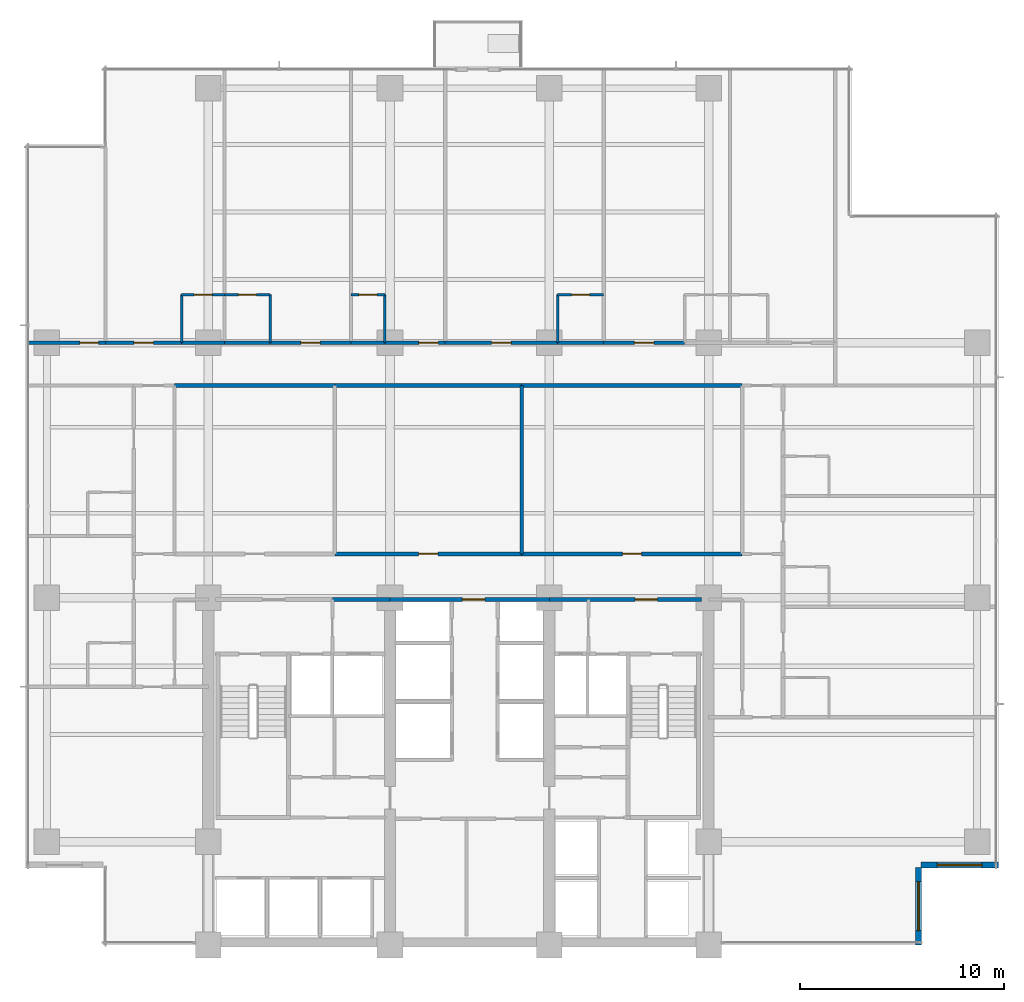
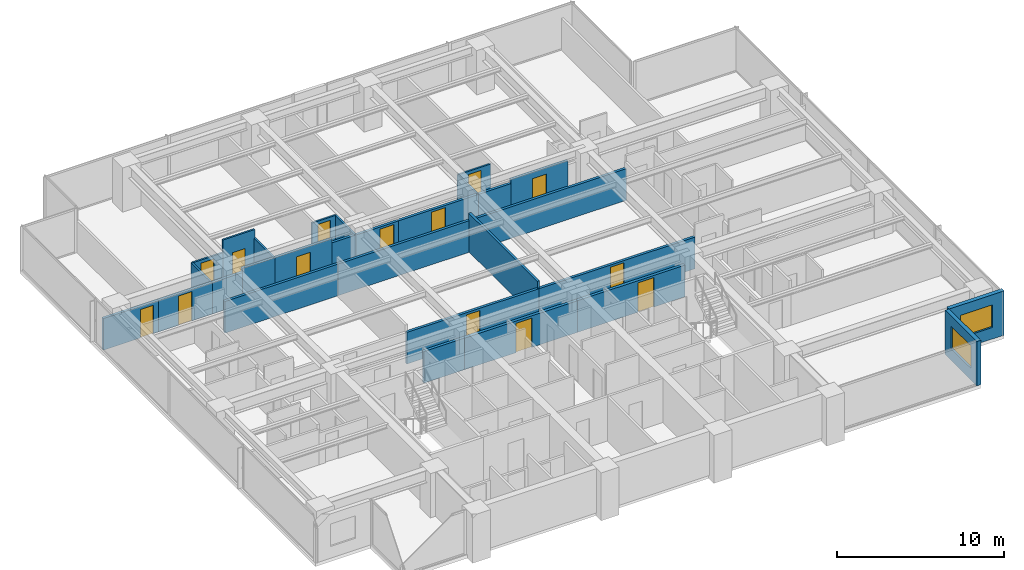
# One storey, part 10 of 17: 29 walls, 14 doors, 2 windows, 16 openings.
"""IFC4 building model written with IfcOpenShell, lengths in metres."""

from ifc_helpers import new_model, si_unit, direction, frame, frame_2d, origin, place, context, subcontext, project, spatial, rectangle, extrude, material, layer, layer_set, type_object, element, fill, save


model = new_model("IFC4")

# Units and contexts
model_context = context("Model", 3, precision=1e-05, world=origin(), true_north=direction((0.0, 1.0)))
body_context = subcontext(model_context, "Body", "Model", "MODEL_VIEW")
ifc_project = project(units=[si_unit("LENGTHUNIT", "METRE"), si_unit("AREAUNIT", "SQUARE_METRE"), si_unit("VOLUMEUNIT", "CUBIC_METRE"), si_unit("PLANEANGLEUNIT", "RADIAN"), si_unit("MASSUNIT", "GRAM", prefix="KILO")], contexts=[model_context])

# Site, building, storey
site_placement = place(None, origin())
site = spatial("IfcSite", under=ifc_project, at=site_placement, CompositionType="ELEMENT")
building_placement = place(site_placement, origin())
building = spatial("IfcBuilding", under=site, at=building_placement, Name="Qalmaran Belvedere Hotel", CompositionType="ELEMENT")
storey_placement = place(building_placement, frame((0.0, 0.0, 109.199951171875)))
storey = spatial("IfcBuildingStorey", under=building, at=storey_placement, Name="L27", CompositionType="ELEMENT", Elevation=109.199951171875)

# Wall, opening, window
ifc_material_1 = material(Name="Anodised Bronze Cladding")
ifc_layer_1 = layer(ifc_material_1, 0.280029296875, Name="Anodised Bronze Cladding")
ifc_layer_set_1 = layer_set([ifc_layer_1], Name="Anodised Bronze Cladding")
wall_type_1 = type_object("IfcWallType", Name="WL-EXT-BRNZ-280", PredefinedType="SOLIDWALL", material=ifc_layer_set_1)
wall_1_placement = place(storey_placement, frame((55.080078125, 3.5, 0.0), z_axis=(0.0, 0.0, 1.0), x_axis=(0.0, 1.0, 0.0)))
wall_1 = element("IfcWall", 1, at=wall_1_placement, inside=storey, type_object=wall_type_1, Name="L27 Corner Notch Wall 1", PredefinedType="SOLIDWALL", context=body_context, shape_type="SweptSolid", body=[
    extrude(rectangle(XDim=3.800048828125, YDim=0.280029296875, at=frame_2d((1.89990234375, 0.0))), origin(), (0.0, 0.0, 1.0), 3.239990234375),
])
opening_1_placement = place(wall_1_placement, frame((0.699951171875, 0.0, 0.85009765625)))
opening_1 = element("IfcOpeningElement", 2, at=opening_1_placement, cuts=wall_1, Name="Opening W-N24", PredefinedType="OPENING", context=body_context, shape_type="SweptSolid", body=[
    extrude(rectangle(XDim=2.39990234375, YDim=1.64990234375, at=frame_2d((1.199951171875, 0.824951171875))), frame((0.0, 0.14990234375, 0.0), z_axis=(0.0, -1.0, 0.0), x_axis=(1.0, 0.0, 0.0)), (0.0, 0.0, 1.0), 0.300048828125),
])
ifc_material_2 = material(Name="Solar-Control Double Glazing", Category="glass")
window_type_1 = type_object("IfcWindowType", Name="WN-NTC-2400X1650", PartitioningType="SINGLE_PANEL", PredefinedType="WINDOW", material=ifc_material_2)
window_1_placement = place(opening_1_placement, origin())
window_1 = element("IfcWindow", 3, at=window_1_placement, inside=storey, type_object=window_type_1, Name="L27 Corner Notch Window 1", OverallHeight=1.64990234375, OverallWidth=2.39990234375, PartitioningType="SINGLE_PANEL", PredefinedType="WINDOW", context=body_context, shape_type="SweptSolid", body=[
    extrude(rectangle(XDim=2.39990234375, YDim=1.64990234375, at=frame_2d((1.199951171875, 0.824951171875))), frame((0.0, 0.030029296875, 0.0), z_axis=(0.0, -1.0, 0.0), x_axis=(1.0, 0.0, 0.0)), (0.0, 0.0, 1.0), 0.06005859375),
])
fill(opening_1, window_1)

wall_2_placement = place(storey_placement, frame((55.199951171875, 7.419921875, 0.0), z_axis=(0.0, 0.0, 1.0), x_axis=(1.0, 0.0, 0.0)))
wall_2 = element("IfcWall", 4, at=wall_2_placement, inside=storey, type_object=wall_type_1, Name="L27 Corner Notch Wall 2", PredefinedType="SOLIDWALL", context=body_context, shape_type="SweptSolid", body=[
    extrude(rectangle(XDim=3.800048828125, YDim=0.280029296875, at=frame_2d((1.89990234375, 0.0))), origin(), (0.0, 0.0, 1.0), 3.239990234375),
])
opening_2_placement = place(wall_2_placement, frame((0.800048828125, 0.0, 0.85009765625)))
opening_2 = element("IfcOpeningElement", 5, at=opening_2_placement, cuts=wall_2, Name="Opening W-N22", PredefinedType="OPENING", context=body_context, shape_type="SweptSolid", body=[
    extrude(rectangle(XDim=2.199951171875, YDim=1.64990234375, at=frame_2d((1.10009765625, 0.824951171875))), frame((0.0, 0.14990234375, 0.0), z_axis=(0.0, -1.0, 0.0), x_axis=(1.0, 0.0, 0.0)), (0.0, 0.0, 1.0), 0.300048828125),
])
window_type_2 = type_object("IfcWindowType", Name="WN-NTC-2200X1650", PartitioningType="SINGLE_PANEL", PredefinedType="WINDOW", material=ifc_material_2)
window_2_placement = place(opening_2_placement, origin())
window_2 = element("IfcWindow", 6, at=window_2_placement, inside=storey, type_object=window_type_2, Name="L27 Corner Notch Window 2", OverallHeight=1.64990234375, OverallWidth=2.199951171875, PartitioningType="SINGLE_PANEL", PredefinedType="WINDOW", context=body_context, shape_type="SweptSolid", body=[
    extrude(rectangle(XDim=2.199951171875, YDim=1.64990234375, at=frame_2d((1.10009765625, 0.824951171875))), frame((0.0, 0.030029296875, 0.0), z_axis=(0.0, -1.0, 0.0), x_axis=(1.0, 0.0, 0.0)), (0.0, 0.0, 1.0), 0.06005859375),
])
fill(opening_2, window_2)

# Wall, opening, door
ifc_material_3 = material(Name="Moisture-Resistant Gypsum")
ifc_layer_2 = layer(ifc_material_3, 0.1201171875, Name="Moisture-Resistant Gypsum")
ifc_layer_set_2 = layer_set([ifc_layer_2], Name="Moisture-Resistant Gypsum")
wall_type_2 = type_object("IfcWallType", Name="WL-INT-120-BATH", PredefinedType="PARTITIONING", material=ifc_layer_set_2)
wall_3_placement = place(storey_placement, frame((18.99560546875, 35.35009765625, 0.0), z_axis=(0.0, 0.0, 1.0), x_axis=(1.0, 0.0, 0.0)))
wall_3 = element("IfcWall", 7, at=wall_3_placement, inside=storey, type_object=wall_type_2, Name="L27 Partition WL-L27-NBN00", PredefinedType="PARTITIONING", context=body_context, shape_type="SweptSolid", body=[
    extrude(rectangle(XDim=2.10009765625, YDim=0.1201171875, at=frame_2d((1.050048828125, 0.0))), origin(), (0.0, 0.0, 1.0), 2.31298828125),
])
opening_3_placement = place(wall_3_placement, frame((1.489990234375, 0.0, 0.0), z_axis=(0.0, 0.0, 1.0), x_axis=(-1.0, 0.0, 0.0)))
opening_3 = element("IfcOpeningElement", 8, at=opening_3_placement, cuts=wall_3, Name="Opening D-BATH", PredefinedType="OPENING", context=body_context, shape_type="SweptSolid", body=[
    extrude(rectangle(XDim=0.8798828125, YDim=2.080078125, at=frame_2d((0.43994140625, 1.0400390625))), frame((0.0, 0.070068359375, 0.0), z_axis=(0.0, -1.0, 0.0), x_axis=(1.0, 0.0, 0.0)), (0.0, 0.0, 1.0), 0.14013671875),
])
ifc_material_4 = material(Name="Engineered Oak Veneer")
door_type_1 = type_object("IfcDoorType", Name="DR-INT-BATH-880X2080", OperationType="NOTDEFINED", PredefinedType="DOOR", material=ifc_material_4)
door_1_placement = place(opening_3_placement, origin())
door_1 = element("IfcDoor", 9, at=door_1_placement, inside=storey, type_object=door_type_1, Name="L27 Ensuite Bathroom Door N01", OperationType="SINGLE_SWING_LEFT", OverallHeight=2.080078125, OverallWidth=0.8798828125, PredefinedType="DOOR", context=body_context, shape_type="SweptSolid", body=[
    extrude(rectangle(XDim=0.8798828125, YDim=2.080078125, at=frame_2d((0.43994140625, 1.0400390625))), frame((0.0, 0.02490234375, 0.0), z_axis=(0.0, -1.0, 0.0), x_axis=(1.0, 0.0, 0.0)), (0.0, 0.0, 1.0), 0.050048828125),
])
fill(opening_3, door_1)

# Wall
wall_4_placement = place(storey_placement, frame((18.99560546875, 33.0, 0.0), z_axis=(0.0, 0.0, 1.0), x_axis=(0.0, 1.0, 0.0)))
element("IfcWall", 10, at=wall_4_placement, inside=storey, type_object=wall_type_2, Name="L27 Partition WL-L27-NBS00", PredefinedType="PARTITIONING", context=body_context, shape_type="SweptSolid", body=[
    extrude(rectangle(XDim=2.35009765625, YDim=0.1201171875, at=frame_2d((1.175048828125, 0.0))), origin(), (0.0, 0.0, 1.0), 2.31298828125),
])

# Wall, opening, door
wall_5_placement = place(storey_placement, frame((21.095703125, 35.35009765625, 0.0), z_axis=(0.0, 0.0, 1.0), x_axis=(1.0, 0.0, 0.0)))
wall_5 = element("IfcWall", 11, at=wall_5_placement, inside=storey, type_object=wall_type_2, Name="L27 Partition WL-L27-NBN01", PredefinedType="PARTITIONING", context=body_context, shape_type="SweptSolid", body=[
    extrude(rectangle(XDim=2.22998046875, YDim=0.1201171875, at=frame_2d((1.114990234375, 0.0))), origin(), (0.0, 0.0, 1.0), 3.239990234375),
])
opening_4_placement = place(wall_5_placement, frame((1.554931640625, 0.0, 0.0), z_axis=(0.0, 0.0, 1.0), x_axis=(-1.0, 0.0, 0.0)))
opening_4 = element("IfcOpeningElement", 12, at=opening_4_placement, cuts=wall_5, Name="Opening D-BATH", PredefinedType="OPENING", context=body_context, shape_type="SweptSolid", body=[
    extrude(rectangle(XDim=0.8798828125, YDim=2.080078125, at=frame_2d((0.43994140625, 1.0400390625))), frame((0.0, 0.070068359375, 0.0), z_axis=(0.0, -1.0, 0.0), x_axis=(1.0, 0.0, 0.0)), (0.0, 0.0, 1.0), 0.14013671875),
])
door_2_placement = place(opening_4_placement, origin())
door_2 = element("IfcDoor", 13, at=door_2_placement, inside=storey, type_object=door_type_1, Name="L27 Ensuite Bathroom Door N02", OperationType="SINGLE_SWING_LEFT", OverallHeight=2.080078125, OverallWidth=0.8798828125, PredefinedType="DOOR", context=body_context, shape_type="SweptSolid", body=[
    extrude(rectangle(XDim=0.8798828125, YDim=2.080078125, at=frame_2d((0.43994140625, 1.0400390625))), frame((0.0, 0.02490234375, 0.0), z_axis=(0.0, -1.0, 0.0), x_axis=(1.0, 0.0, 0.0)), (0.0, 0.0, 1.0), 0.050048828125),
])
fill(opening_4, door_2)

# Wall
wall_6_placement = place(storey_placement, frame((23.32568359375, 33.0, 0.0), z_axis=(0.0, 0.0, 1.0), x_axis=(0.0, 1.0, 0.0)))
element("IfcWall", 14, at=wall_6_placement, inside=storey, type_object=wall_type_2, Name="L27 Partition WL-L27-NBS01", PredefinedType="PARTITIONING", context=body_context, shape_type="SweptSolid", body=[
    extrude(rectangle(XDim=2.35009765625, YDim=0.1201171875, at=frame_2d((1.175048828125, 0.0))), origin(), (0.0, 0.0, 1.0), 2.614013671875),
])

# Wall, opening, door
wall_7_placement = place(storey_placement, frame((27.285400390625, 35.35009765625, 0.0), z_axis=(0.0, 0.0, 1.0), x_axis=(1.0, 0.0, 0.0)))
wall_7 = element("IfcWall", 15, at=wall_7_placement, inside=storey, type_object=wall_type_2, Name="L27 Partition WL-L27-NBN02", PredefinedType="PARTITIONING", context=body_context, shape_type="SweptSolid", body=[
    extrude(rectangle(XDim=1.659912109375, YDim=0.1201171875, at=frame_2d((0.830078125, 0.0))), origin(), (0.0, 0.0, 1.0), 2.31298828125),
])
opening_5_placement = place(wall_7_placement, frame((1.269775390625, 0.0, 0.0), z_axis=(0.0, 0.0, 1.0), x_axis=(-1.0, 0.0, 0.0)))
opening_5 = element("IfcOpeningElement", 16, at=opening_5_placement, cuts=wall_7, Name="Opening D-BATH", PredefinedType="OPENING", context=body_context, shape_type="SweptSolid", body=[
    extrude(rectangle(XDim=0.8798828125, YDim=2.080078125, at=frame_2d((0.43994140625, 1.0400390625))), frame((0.0, 0.070068359375, 0.0), z_axis=(0.0, -1.0, 0.0), x_axis=(1.0, 0.0, 0.0)), (0.0, 0.0, 1.0), 0.14013671875),
])
door_3_placement = place(opening_5_placement, origin())
door_3 = element("IfcDoor", 17, at=door_3_placement, inside=storey, type_object=door_type_1, Name="L27 Ensuite Bathroom Door N03", OperationType="SINGLE_SWING_LEFT", OverallHeight=2.080078125, OverallWidth=0.8798828125, PredefinedType="DOOR", context=body_context, shape_type="SweptSolid", body=[
    extrude(rectangle(XDim=0.8798828125, YDim=2.080078125, at=frame_2d((0.43994140625, 1.0400390625))), frame((0.0, 0.02490234375, 0.0), z_axis=(0.0, -1.0, 0.0), x_axis=(1.0, 0.0, 0.0)), (0.0, 0.0, 1.0), 0.050048828125),
])
fill(opening_5, door_3)

# Wall
wall_8_placement = place(storey_placement, frame((28.9453125, 33.0, 0.0), z_axis=(0.0, 0.0, 1.0), x_axis=(0.0, 1.0, 0.0)))
element("IfcWall", 18, at=wall_8_placement, inside=storey, type_object=wall_type_2, Name="L27 Partition WL-L27-NBS02", PredefinedType="PARTITIONING", context=body_context, shape_type="SweptSolid", body=[
    extrude(rectangle(XDim=2.35009765625, YDim=0.1201171875, at=frame_2d((1.175048828125, 0.0))), origin(), (0.0, 0.0, 1.0), 2.31298828125),
])

# Wall, opening, door
wall_9_placement = place(storey_placement, frame((37.414794921875, 35.35009765625, 0.0), z_axis=(0.0, 0.0, 1.0), x_axis=(1.0, 0.0, 0.0)))
wall_9 = element("IfcWall", 19, at=wall_9_placement, inside=storey, type_object=wall_type_2, Name="L27 Partition WL-L27-NBN03", PredefinedType="PARTITIONING", context=body_context, shape_type="SweptSolid", body=[
    extrude(rectangle(XDim=2.25, YDim=0.1201171875, at=frame_2d((1.125, 0.0))), origin(), (0.0, 0.0, 1.0), 2.31298828125),
])
opening_6_placement = place(wall_9_placement, frame((1.56494140625, 0.0, 0.0), z_axis=(0.0, 0.0, 1.0), x_axis=(-1.0, 0.0, 0.0)))
opening_6 = element("IfcOpeningElement", 20, at=opening_6_placement, cuts=wall_9, Name="Opening D-BATH", PredefinedType="OPENING", context=body_context, shape_type="SweptSolid", body=[
    extrude(rectangle(XDim=0.8798828125, YDim=2.080078125, at=frame_2d((0.43994140625, 1.0400390625))), frame((0.0, 0.070068359375, 0.0), z_axis=(0.0, -1.0, 0.0), x_axis=(1.0, 0.0, 0.0)), (0.0, 0.0, 1.0), 0.14013671875),
])
door_4_placement = place(opening_6_placement, origin())
door_4 = element("IfcDoor", 21, at=door_4_placement, inside=storey, type_object=door_type_1, Name="L27 Ensuite Bathroom Door N04", OperationType="SINGLE_SWING_LEFT", OverallHeight=2.080078125, OverallWidth=0.8798828125, PredefinedType="DOOR", context=body_context, shape_type="SweptSolid", body=[
    extrude(rectangle(XDim=0.8798828125, YDim=2.080078125, at=frame_2d((0.43994140625, 1.0400390625))), frame((0.0, 0.02490234375, 0.0), z_axis=(0.0, -1.0, 0.0), x_axis=(1.0, 0.0, 0.0)), (0.0, 0.0, 1.0), 0.050048828125),
])
fill(opening_6, door_4)

# Walls
wall_10_placement = place(storey_placement, frame((37.414794921875, 33.0, 0.0), z_axis=(0.0, 0.0, 1.0), x_axis=(0.0, 1.0, 0.0)))
element("IfcWall", 22, at=wall_10_placement, inside=storey, type_object=wall_type_2, Name="L27 Partition WL-L27-NBS03", PredefinedType="PARTITIONING", context=body_context, shape_type="SweptSolid", body=[
    extrude(rectangle(XDim=2.35009765625, YDim=0.1201171875, at=frame_2d((1.175048828125, 0.0))), origin(), (0.0, 0.0, 1.0), 2.31298828125),
])
ifc_material_5 = material(Name="Gypsum Stud Partition")
ifc_layer_3 = layer(ifc_material_5, 0.159912109375, Name="Gypsum Stud Partition")
ifc_layer_set_3 = layer_set([ifc_layer_3], Name="Gypsum Stud Partition")
wall_type_3 = type_object("IfcWallType", Name="WL-INT-160-EI60", PredefinedType="PARTITIONING", material=ifc_layer_set_3)
wall_11_placement = place(storey_placement, frame((35.64990234375, 22.64990234375, 0.0), z_axis=(0.0, 0.0, 1.0), x_axis=(0.0, 1.0, 0.0)))
element("IfcWall", 23, at=wall_11_placement, inside=storey, type_object=wall_type_3, Name="L27 Partition WL-L27-MIDVR2", PredefinedType="PARTITIONING", context=body_context, shape_type="SweptSolid", body=[
    extrude(rectangle(XDim=8.25, YDim=0.159912109375, at=frame_2d((4.125, 0.0))), origin(), (0.0, 0.0, 1.0), 2.818115234375),
])
ifc_layer_4 = layer(ifc_material_5, 0.179931640625, Name="Gypsum Stud Partition")
ifc_layer_set_4 = layer_set([ifc_layer_4], Name="Gypsum Stud Partition")
wall_type_4 = type_object("IfcWallType", Name="WL-INT-180-EI60", PredefinedType="PARTITIONING", material=ifc_layer_set_4)
wall_12_placement = place(storey_placement, frame((18.64990234375, 30.89990234375, 0.0), z_axis=(0.0, 0.0, 1.0), x_axis=(1.0, 0.0, 0.0)))
element("IfcWall", 24, at=wall_12_placement, inside=storey, type_object=wall_type_4, Name="L27 Partition WL-L27-MIDO1", PredefinedType="PARTITIONING", context=body_context, shape_type="SweptSolid", body=[
    extrude(rectangle(XDim=7.85009765625, YDim=0.179931640625, at=frame_2d((3.925048828125, 0.0))), origin(), (0.0, 0.0, 1.0), 2.31298828125),
])

# Wall, opening, door
wall_13_placement = place(storey_placement, frame((26.5, 22.64990234375, 0.0), z_axis=(0.0, 0.0, 1.0), x_axis=(1.0, 0.0, 0.0)))
wall_13 = element("IfcWall", 25, at=wall_13_placement, inside=storey, type_object=wall_type_4, Name="L27 Partition WL-L27-MIDD2", PredefinedType="PARTITIONING", context=body_context, shape_type="SweptSolid", body=[
    extrude(rectangle(XDim=9.14990234375, YDim=0.179931640625, at=frame_2d((4.574951171875, 0.0))), origin(), (0.0, 0.0, 1.0), 2.31298828125),
])
opening_7_placement = place(wall_13_placement, frame((4.10009765625, 0.0, 0.0)))
opening_7 = element("IfcOpeningElement", 26, at=opening_7_placement, cuts=wall_13, Name="Opening FD60", PredefinedType="OPENING", context=body_context, shape_type="SweptSolid", body=[
    extrude(rectangle(XDim=0.949951171875, YDim=2.14990234375, at=frame_2d((0.47509765625, 1.074951171875))), frame((0.0, 0.10009765625, 0.0), z_axis=(0.0, -1.0, 0.0), x_axis=(1.0, 0.0, 0.0)), (0.0, 0.0, 1.0), 0.199951171875),
])
door_type_2 = type_object("IfcDoorType", Name="DR-FD60-950X2150", OperationType="NOTDEFINED", PredefinedType="DOOR", material=ifc_material_4)
door_5_placement = place(opening_7_placement, origin())
door_5 = element("IfcDoor", 27, at=door_5_placement, inside=storey, type_object=door_type_2, Name="L27 Club Lounge Door", OperationType="SINGLE_SWING_LEFT", OverallHeight=2.14990234375, OverallWidth=0.949951171875, PredefinedType="DOOR", context=body_context, shape_type="SweptSolid", body=[
    extrude(rectangle(XDim=0.949951171875, YDim=2.14990234375, at=frame_2d((0.47509765625, 1.074951171875))), frame((0.0, 0.02490234375, 0.0), z_axis=(0.0, -1.0, 0.0), x_axis=(1.0, 0.0, 0.0)), (0.0, 0.0, 1.0), 0.050048828125),
])
fill(opening_7, door_5)

# Wall
wall_14_placement = place(storey_placement, frame((26.5, 30.89990234375, 0.0), z_axis=(0.0, 0.0, 1.0), x_axis=(1.0, 0.0, 0.0)))
element("IfcWall", 28, at=wall_14_placement, inside=storey, type_object=wall_type_4, Name="L27 Partition WL-L27-MIDO2", PredefinedType="PARTITIONING", context=body_context, shape_type="SweptSolid", body=[
    extrude(rectangle(XDim=9.14990234375, YDim=0.179931640625, at=frame_2d((4.574951171875, 0.0))), origin(), (0.0, 0.0, 1.0), 2.31298828125),
])

# Wall, opening, door
wall_15_placement = place(storey_placement, frame((35.64990234375, 22.64990234375, 0.0), z_axis=(0.0, 0.0, 1.0), x_axis=(1.0, 0.0, 0.0)))
wall_15 = element("IfcWall", 29, at=wall_15_placement, inside=storey, type_object=wall_type_4, Name="L27 Partition WL-L27-MIDD3", PredefinedType="PARTITIONING", context=body_context, shape_type="SweptSolid", body=[
    extrude(rectangle(XDim=10.800048828125, YDim=0.179931640625, at=frame_2d((5.39990234375, 0.0))), origin(), (0.0, 0.0, 1.0), 2.31298828125),
])
opening_8_placement = place(wall_15_placement, frame((4.925048828125, 0.0, 0.0)))
opening_8 = element("IfcOpeningElement", 30, at=opening_8_placement, cuts=wall_15, Name="Opening FD60", PredefinedType="OPENING", context=body_context, shape_type="SweptSolid", body=[
    extrude(rectangle(XDim=0.949951171875, YDim=2.14990234375, at=frame_2d((0.47509765625, 1.074951171875))), frame((0.0, 0.10009765625, 0.0), z_axis=(0.0, -1.0, 0.0), x_axis=(1.0, 0.0, 0.0)), (0.0, 0.0, 1.0), 0.199951171875),
])
door_6_placement = place(opening_8_placement, origin())
door_6 = element("IfcDoor", 31, at=door_6_placement, inside=storey, type_object=door_type_2, Name="L27 Fitness Spa Door", OperationType="SINGLE_SWING_RIGHT", OverallHeight=2.14990234375, OverallWidth=0.949951171875, PredefinedType="DOOR", context=body_context, shape_type="SweptSolid", body=[
    extrude(rectangle(XDim=0.949951171875, YDim=2.14990234375, at=frame_2d((0.47509765625, 1.074951171875))), frame((0.0, 0.02490234375, 0.0), z_axis=(0.0, -1.0, 0.0), x_axis=(1.0, 0.0, 0.0)), (0.0, 0.0, 1.0), 0.050048828125),
])
fill(opening_8, door_6)

# Walls
wall_16_placement = place(storey_placement, frame((35.64990234375, 30.89990234375, 0.0), z_axis=(0.0, 0.0, 1.0), x_axis=(1.0, 0.0, 0.0)))
element("IfcWall", 32, at=wall_16_placement, inside=storey, type_object=wall_type_4, Name="L27 Partition WL-L27-MIDO3", PredefinedType="PARTITIONING", context=body_context, shape_type="SweptSolid", body=[
    extrude(rectangle(XDim=10.800048828125, YDim=0.179931640625, at=frame_2d((5.39990234375, 0.0))), origin(), (0.0, 0.0, 1.0), 2.31298828125),
])
wall_17_placement = place(storey_placement, frame((18.99560546875, 33.0, 0.0), z_axis=(0.0, 0.0, 1.0), x_axis=(1.0, 0.0, 0.0)))
element("IfcWall", 33, at=wall_17_placement, inside=storey, type_object=wall_type_4, Name="L27 Partition WL-L27-NBC00", PredefinedType="PARTITIONING", context=body_context, shape_type="SweptSolid", body=[
    extrude(rectangle(XDim=2.10009765625, YDim=0.179931640625, at=frame_2d((1.050048828125, 0.0))), origin(), (0.0, 0.0, 1.0), 2.31298828125),
])

# Wall, opening, door
wall_18_placement = place(storey_placement, frame((15.27001953125, 33.0, 0.0), z_axis=(0.0, 0.0, 1.0), x_axis=(1.0, 0.0, 0.0)))
wall_18 = element("IfcWall", 34, at=wall_18_placement, inside=storey, type_object=wall_type_4, Name="L27 Partition WL-L27-NEC00", PredefinedType="PARTITIONING", context=body_context, shape_type="SweptSolid", body=[
    extrude(rectangle(XDim=3.7255859375, YDim=0.179931640625, at=frame_2d((1.86279296875, 0.0))), origin(), (0.0, 0.0, 1.0), 2.31298828125),
])
opening_9_placement = place(wall_18_placement, frame((1.3876953125, 0.0, 0.0)))
opening_9 = element("IfcOpeningElement", 35, at=opening_9_placement, cuts=wall_18, Name="Opening FD60", PredefinedType="OPENING", context=body_context, shape_type="SweptSolid", body=[
    extrude(rectangle(XDim=0.949951171875, YDim=2.14990234375, at=frame_2d((0.47509765625, 1.074951171875))), frame((0.0, 0.10009765625, 0.0), z_axis=(0.0, -1.0, 0.0), x_axis=(1.0, 0.0, 0.0)), (0.0, 0.0, 1.0), 0.199951171875),
])
door_7_placement = place(opening_9_placement, origin())
door_7 = element("IfcDoor", 36, at=door_7_placement, inside=storey, type_object=door_type_2, Name="L27 Guest Entrance Door N01", OperationType="SINGLE_SWING_RIGHT", OverallHeight=2.14990234375, OverallWidth=0.949951171875, PredefinedType="DOOR", context=body_context, shape_type="SweptSolid", body=[
    extrude(rectangle(XDim=0.949951171875, YDim=2.14990234375, at=frame_2d((0.47509765625, 1.074951171875))), frame((0.0, 0.02490234375, 0.0), z_axis=(0.0, -1.0, 0.0), x_axis=(1.0, 0.0, 0.0)), (0.0, 0.0, 1.0), 0.050048828125),
])
fill(opening_9, door_7)

# Wall
wall_19_placement = place(storey_placement, frame((21.095703125, 33.0, 0.0), z_axis=(0.0, 0.0, 1.0), x_axis=(1.0, 0.0, 0.0)))
element("IfcWall", 37, at=wall_19_placement, inside=storey, type_object=wall_type_4, Name="L27 Partition WL-L27-NBC01", PredefinedType="PARTITIONING", context=body_context, shape_type="SweptSolid", body=[
    extrude(rectangle(XDim=2.22998046875, YDim=0.179931640625, at=frame_2d((1.114990234375, 0.0))), origin(), (0.0, 0.0, 1.0), 2.614013671875),
])

# Wall, opening, door
wall_20_placement = place(storey_placement, frame((23.32568359375, 33.0, 0.0), z_axis=(0.0, 0.0, 1.0), x_axis=(1.0, 0.0, 0.0)))
wall_20 = element("IfcWall", 38, at=wall_20_placement, inside=storey, type_object=wall_type_4, Name="L27 Partition WL-L27-NEC01", PredefinedType="PARTITIONING", context=body_context, shape_type="SweptSolid", body=[
    extrude(rectangle(XDim=3.959716796875, YDim=0.179931640625, at=frame_2d((1.97998046875, 0.0))), origin(), (0.0, 0.0, 1.0), 2.614013671875),
])
opening_10_placement = place(wall_20_placement, frame((1.5048828125, 0.0, 0.0)))
opening_10 = element("IfcOpeningElement", 39, at=opening_10_placement, cuts=wall_20, Name="Opening FD60", PredefinedType="OPENING", context=body_context, shape_type="SweptSolid", body=[
    extrude(rectangle(XDim=0.949951171875, YDim=2.14990234375, at=frame_2d((0.47509765625, 1.074951171875))), frame((0.0, 0.10009765625, 0.0), z_axis=(0.0, -1.0, 0.0), x_axis=(1.0, 0.0, 0.0)), (0.0, 0.0, 1.0), 0.199951171875),
])
door_8_placement = place(opening_10_placement, origin())
door_8 = element("IfcDoor", 40, at=door_8_placement, inside=storey, type_object=door_type_2, Name="L27 Guest Entrance Door N02", OperationType="SINGLE_SWING_RIGHT", OverallHeight=2.14990234375, OverallWidth=0.949951171875, PredefinedType="DOOR", context=body_context, shape_type="SweptSolid", body=[
    extrude(rectangle(XDim=0.949951171875, YDim=2.14990234375, at=frame_2d((0.47509765625, 1.074951171875))), frame((0.0, 0.02490234375, 0.0), z_axis=(0.0, -1.0, 0.0), x_axis=(1.0, 0.0, 0.0)), (0.0, 0.0, 1.0), 0.050048828125),
])
fill(opening_10, door_8)

# Wall
wall_21_placement = place(storey_placement, frame((27.285400390625, 33.0, 0.0), z_axis=(0.0, 0.0, 1.0), x_axis=(1.0, 0.0, 0.0)))
element("IfcWall", 41, at=wall_21_placement, inside=storey, type_object=wall_type_4, Name="L27 Partition WL-L27-NBC02", PredefinedType="PARTITIONING", context=body_context, shape_type="SweptSolid", body=[
    extrude(rectangle(XDim=1.659912109375, YDim=0.179931640625, at=frame_2d((0.830078125, 0.0))), origin(), (0.0, 0.0, 1.0), 2.31298828125),
])

# Wall, opening, door
wall_22_placement = place(storey_placement, frame((28.9453125, 33.0, 0.0), z_axis=(0.0, 0.0, 1.0), x_axis=(1.0, 0.0, 0.0)))
wall_22 = element("IfcWall", 42, at=wall_22_placement, inside=storey, type_object=wall_type_4, Name="L27 Partition WL-L27-NEC02", PredefinedType="PARTITIONING", context=body_context, shape_type="SweptSolid", body=[
    extrude(rectangle(XDim=2.95458984375, YDim=0.179931640625, at=frame_2d((1.477294921875, 0.0))), origin(), (0.0, 0.0, 1.0), 2.31298828125),
])
opening_11_placement = place(wall_22_placement, frame((1.6728515625, 0.0, 0.0)))
opening_11 = element("IfcOpeningElement", 43, at=opening_11_placement, cuts=wall_22, Name="Opening FD60", PredefinedType="OPENING", context=body_context, shape_type="SweptSolid", body=[
    extrude(rectangle(XDim=0.949951171875, YDim=2.14990234375, at=frame_2d((0.47509765625, 1.074951171875))), frame((0.0, 0.10009765625, 0.0), z_axis=(0.0, -1.0, 0.0), x_axis=(1.0, 0.0, 0.0)), (0.0, 0.0, 1.0), 0.199951171875),
])
door_9_placement = place(opening_11_placement, origin())
door_9 = element("IfcDoor", 44, at=door_9_placement, inside=storey, type_object=door_type_2, Name="L27 Guest Entrance Door N03", OperationType="SINGLE_SWING_RIGHT", OverallHeight=2.14990234375, OverallWidth=0.949951171875, PredefinedType="DOOR", context=body_context, shape_type="SweptSolid", body=[
    extrude(rectangle(XDim=0.949951171875, YDim=2.14990234375, at=frame_2d((0.47509765625, 1.074951171875))), frame((0.0, 0.02490234375, 0.0), z_axis=(0.0, -1.0, 0.0), x_axis=(1.0, 0.0, 0.0)), (0.0, 0.0, 1.0), 0.050048828125),
])
fill(opening_11, door_9)

# Wall
wall_23_placement = place(storey_placement, frame((37.414794921875, 33.0, 0.0), z_axis=(0.0, 0.0, 1.0), x_axis=(1.0, 0.0, 0.0)))
element("IfcWall", 45, at=wall_23_placement, inside=storey, type_object=wall_type_4, Name="L27 Partition WL-L27-NBC03", PredefinedType="PARTITIONING", context=body_context, shape_type="SweptSolid", body=[
    extrude(rectangle(XDim=2.25, YDim=0.179931640625, at=frame_2d((1.125, 0.0))), origin(), (0.0, 0.0, 1.0), 2.31298828125),
])

# Wall, opening, door
wall_24_placement = place(storey_placement, frame((31.89990234375, 33.0, 0.0), z_axis=(0.0, 0.0, 1.0), x_axis=(1.0, 0.0, 0.0)))
wall_24 = element("IfcWall", 46, at=wall_24_placement, inside=storey, type_object=wall_type_4, Name="L27 Partition WL-L27-NEC03", PredefinedType="PARTITIONING", context=body_context, shape_type="SweptSolid", body=[
    extrude(rectangle(XDim=5.514892578125, YDim=0.179931640625, at=frame_2d((2.75732421875, 0.0))), origin(), (0.0, 0.0, 1.0), 2.31298828125),
])
opening_12_placement = place(wall_24_placement, frame((2.282470703125, 0.0, 0.0)))
opening_12 = element("IfcOpeningElement", 47, at=opening_12_placement, cuts=wall_24, Name="Opening FD60", PredefinedType="OPENING", context=body_context, shape_type="SweptSolid", body=[
    extrude(rectangle(XDim=0.949951171875, YDim=2.14990234375, at=frame_2d((0.47509765625, 1.074951171875))), frame((0.0, 0.10009765625, 0.0), z_axis=(0.0, -1.0, 0.0), x_axis=(1.0, 0.0, 0.0)), (0.0, 0.0, 1.0), 0.199951171875),
])
door_10_placement = place(opening_12_placement, origin())
door_10 = element("IfcDoor", 48, at=door_10_placement, inside=storey, type_object=door_type_2, Name="L27 Guest Entrance Door N04", OperationType="SINGLE_SWING_RIGHT", OverallHeight=2.14990234375, OverallWidth=0.949951171875, PredefinedType="DOOR", context=body_context, shape_type="SweptSolid", body=[
    extrude(rectangle(XDim=0.949951171875, YDim=2.14990234375, at=frame_2d((0.47509765625, 1.074951171875))), frame((0.0, 0.02490234375, 0.0), z_axis=(0.0, -1.0, 0.0), x_axis=(1.0, 0.0, 0.0)), (0.0, 0.0, 1.0), 0.050048828125),
])
fill(opening_12, door_10)

wall_25_placement = place(storey_placement, frame((39.664794921875, 33.0, 0.0), z_axis=(0.0, 0.0, 1.0), x_axis=(1.0, 0.0, 0.0)))
wall_25 = element("IfcWall", 49, at=wall_25_placement, inside=storey, type_object=wall_type_4, Name="L27 Partition WL-L27-NEC04", PredefinedType="PARTITIONING", context=body_context, shape_type="SweptSolid", body=[
    extrude(rectangle(XDim=3.959716796875, YDim=0.179931640625, at=frame_2d((1.97998046875, 0.0))), origin(), (0.0, 0.0, 1.0), 2.614013671875),
])
opening_13_placement = place(wall_25_placement, frame((1.5048828125, 0.0, 0.0)))
opening_13 = element("IfcOpeningElement", 50, at=opening_13_placement, cuts=wall_25, Name="Opening FD60", PredefinedType="OPENING", context=body_context, shape_type="SweptSolid", body=[
    extrude(rectangle(XDim=0.949951171875, YDim=2.14990234375, at=frame_2d((0.47509765625, 1.074951171875))), frame((0.0, 0.10009765625, 0.0), z_axis=(0.0, -1.0, 0.0), x_axis=(1.0, 0.0, 0.0)), (0.0, 0.0, 1.0), 0.199951171875),
])
door_11_placement = place(opening_13_placement, origin())
door_11 = element("IfcDoor", 51, at=door_11_placement, inside=storey, type_object=door_type_2, Name="L27 Guest Entrance Door N05", OperationType="SINGLE_SWING_RIGHT", OverallHeight=2.14990234375, OverallWidth=0.949951171875, PredefinedType="DOOR", context=body_context, shape_type="SweptSolid", body=[
    extrude(rectangle(XDim=0.949951171875, YDim=2.14990234375, at=frame_2d((0.47509765625, 1.074951171875))), frame((0.0, 0.02490234375, 0.0), z_axis=(0.0, -1.0, 0.0), x_axis=(1.0, 0.0, 0.0)), (0.0, 0.0, 1.0), 0.050048828125),
])
fill(opening_13, door_11)

wall_26_placement = place(storey_placement, frame((11.469970703125, 33.0, 0.0), z_axis=(0.0, 0.0, 1.0), x_axis=(1.0, 0.0, 0.0)))
wall_26 = element("IfcWall", 52, at=wall_26_placement, inside=storey, type_object=wall_type_4, Name="L27 Partition WL-L27-NWSD", PredefinedType="PARTITIONING", context=body_context, shape_type="SweptSolid", body=[
    extrude(rectangle(XDim=3.800048828125, YDim=0.179931640625, at=frame_2d((1.89990234375, 0.0))), origin(), (0.0, 0.0, 1.0), 2.31298828125),
])
opening_14_placement = place(wall_26_placement, frame((2.543701171875, 0.0, 0.0)))
opening_14 = element("IfcOpeningElement", 53, at=opening_14_placement, cuts=wall_26, Name="Opening FD60S1", PredefinedType="OPENING", context=body_context, shape_type="SweptSolid", body=[
    extrude(rectangle(XDim=0.919921875, YDim=2.080078125, at=frame_2d((0.4599609375, 1.0400390625))), frame((0.0, 0.10009765625, 0.0), z_axis=(0.0, -1.0, 0.0), x_axis=(1.0, 0.0, 0.0)), (0.0, 0.0, 1.0), 0.199951171875),
])
door_type_3 = type_object("IfcDoorType", Name="DR-FD60S-920X2080", OperationType="NOTDEFINED", PredefinedType="DOOR", material=ifc_material_4)
door_12_placement = place(opening_14_placement, origin())
door_12 = element("IfcDoor", 54, at=door_12_placement, inside=storey, type_object=door_type_3, Name="L27 NW Belvedere Study Door", OperationType="SINGLE_SWING_LEFT", OverallHeight=2.080078125, OverallWidth=0.919921875, PredefinedType="DOOR", context=body_context, shape_type="SweptSolid", body=[
    extrude(rectangle(XDim=0.919921875, YDim=2.080078125, at=frame_2d((0.4599609375, 1.0400390625))), frame((0.0, 0.02490234375, 0.0), z_axis=(0.0, -1.0, 0.0), x_axis=(1.0, 0.0, 0.0)), (0.0, 0.0, 1.0), 0.050048828125),
])
fill(opening_14, door_12)

# Wall
ifc_material_6 = material(Name="Concrete C30/37 Blockwork", Category="masonry")
ifc_layer_5 = layer(ifc_material_6, 0.199951171875, Name="Concrete C30/37 Blockwork")
ifc_layer_set_5 = layer_set([ifc_layer_5], Name="Concrete C30/37 Blockwork")
wall_type_5 = type_object("IfcWallType", Name="WL-INT-200-EI120", PredefinedType="PARTITIONING", material=ifc_layer_set_5)
wall_27_placement = place(storey_placement, frame((26.3798828125, 20.419921875, 0.0), z_axis=(0.0, 0.0, 1.0), x_axis=(1.0, 0.0, 0.0)))
element("IfcWall", 55, at=wall_27_placement, inside=storey, type_object=wall_type_5, Name="L27 Partition WL-CN1B-L27", PredefinedType="PARTITIONING", context=body_context, shape_type="SweptSolid", body=[
    extrude(rectangle(XDim=2.820068359375, YDim=0.199951171875, at=frame_2d((1.41015625, 0.0))), origin(), (0.0, 0.0, 1.0), 2.31298828125),
])

# Wall, opening, door
wall_28_placement = place(storey_placement, frame((29.199951171875, 20.419921875, 0.0), z_axis=(0.0, 0.0, 1.0), x_axis=(1.0, 0.0, 0.0)))
wall_28 = element("IfcWall", 56, at=wall_28_placement, inside=storey, type_object=wall_type_5, Name="L27 Partition WL-CN2-L27", PredefinedType="PARTITIONING", context=body_context, shape_type="SweptSolid", body=[
    extrude(rectangle(XDim=7.800048828125, YDim=0.199951171875, at=frame_2d((3.89990234375, 0.0))), origin(), (0.0, 0.0, 1.0), 2.31298828125),
])
opening_15_placement = place(wall_28_placement, frame((3.550048828125, 0.0, 0.0)))
opening_15 = element("IfcOpeningElement", 57, at=opening_15_placement, cuts=wall_28, Name="Opening FD90", PredefinedType="OPENING", context=body_context, shape_type="SweptSolid", body=[
    extrude(rectangle(XDim=1.10009765625, YDim=2.14990234375, at=frame_2d((0.550048828125, 1.074951171875))), frame((0.0, 0.10986328125, 0.0), z_axis=(0.0, -1.0, 0.0), x_axis=(1.0, 0.0, 0.0)), (0.0, 0.0, 1.0), 0.219970703125),
])
ifc_material_7 = material(Name="Steel S355JR", Category="steel")
door_type_4 = type_object("IfcDoorType", Name="DR-FD90-1100X2150", OperationType="NOTDEFINED", PredefinedType="DOOR", material=ifc_material_7)
door_13_placement = place(opening_15_placement, origin())
door_13 = element("IfcDoor", 58, at=door_13_placement, inside=storey, type_object=door_type_4, Name="L27 Central Lift Lobby Door", OperationType="SINGLE_SWING_RIGHT", OverallHeight=2.14990234375, OverallWidth=1.10009765625, PredefinedType="DOOR", context=body_context, shape_type="SweptSolid", body=[
    extrude(rectangle(XDim=1.10009765625, YDim=2.14990234375, at=frame_2d((0.550048828125, 1.074951171875))), frame((0.0, 0.02490234375, 0.0), z_axis=(0.0, -1.0, 0.0), x_axis=(1.0, 0.0, 0.0)), (0.0, 0.0, 1.0), 0.050048828125),
])
fill(opening_15, door_13)

wall_29_placement = place(storey_placement, frame((37.0, 20.419921875, 0.0), z_axis=(0.0, 0.0, 1.0), x_axis=(1.0, 0.0, 0.0)))
wall_29 = element("IfcWall", 59, at=wall_29_placement, inside=storey, type_object=wall_type_5, Name="L27 Partition WL-CN3-L27", PredefinedType="PARTITIONING", context=body_context, shape_type="SweptSolid", body=[
    extrude(rectangle(XDim=7.449951171875, YDim=0.199951171875, at=frame_2d((3.72509765625, 0.0))), origin(), (0.0, 0.0, 1.0), 2.31298828125),
])
opening_16_placement = place(wall_29_placement, frame((4.199951171875, 0.0, 0.0)))
opening_16 = element("IfcOpeningElement", 60, at=opening_16_placement, cuts=wall_29, Name="Opening FD90", PredefinedType="OPENING", context=body_context, shape_type="SweptSolid", body=[
    extrude(rectangle(XDim=1.10009765625, YDim=2.14990234375, at=frame_2d((0.550048828125, 1.074951171875))), frame((0.0, 0.10986328125, 0.0), z_axis=(0.0, -1.0, 0.0), x_axis=(1.0, 0.0, 0.0)), (0.0, 0.0, 1.0), 0.219970703125),
])
door_14_placement = place(opening_16_placement, origin())
door_14 = element("IfcDoor", 61, at=door_14_placement, inside=storey, type_object=door_type_4, Name="L27 FF2 Lobby Corridor Door", OperationType="SINGLE_SWING_LEFT", OverallHeight=2.14990234375, OverallWidth=1.10009765625, PredefinedType="DOOR", context=body_context, shape_type="SweptSolid", body=[
    extrude(rectangle(XDim=1.10009765625, YDim=2.14990234375, at=frame_2d((0.550048828125, 1.074951171875))), frame((0.0, 0.02490234375, 0.0), z_axis=(0.0, -1.0, 0.0), x_axis=(1.0, 0.0, 0.0)), (0.0, 0.0, 1.0), 0.050048828125),
])
fill(opening_16, door_14)

save(model, "model.ifc")
